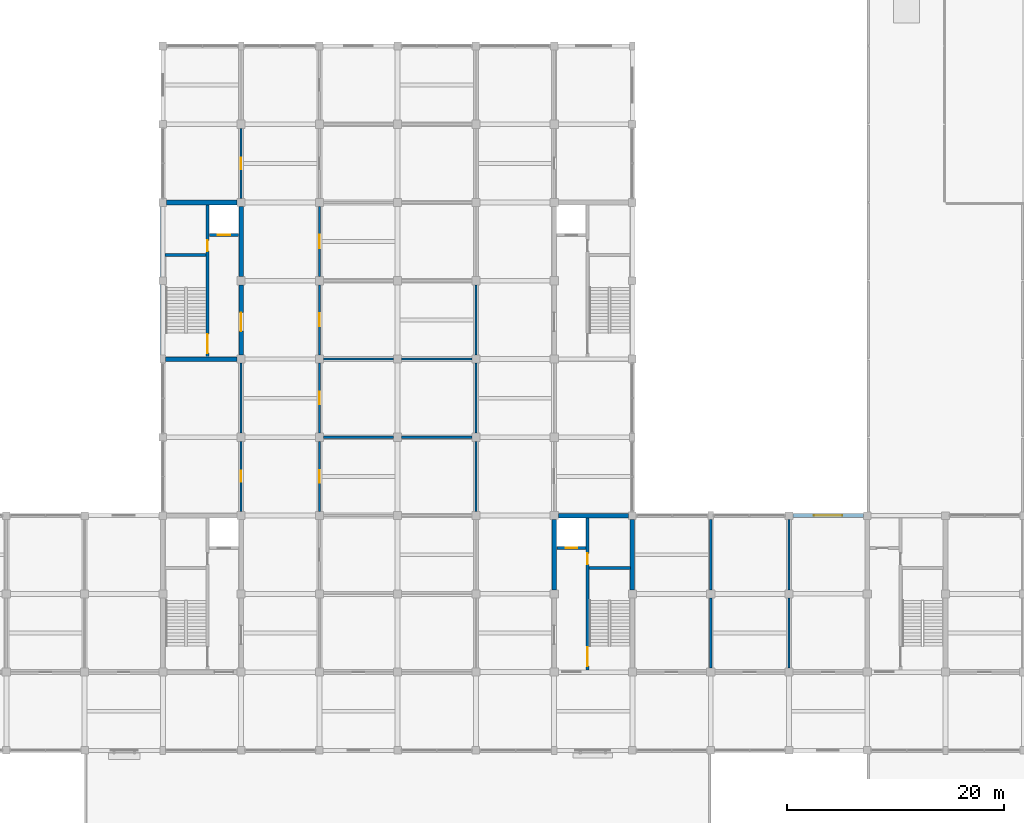
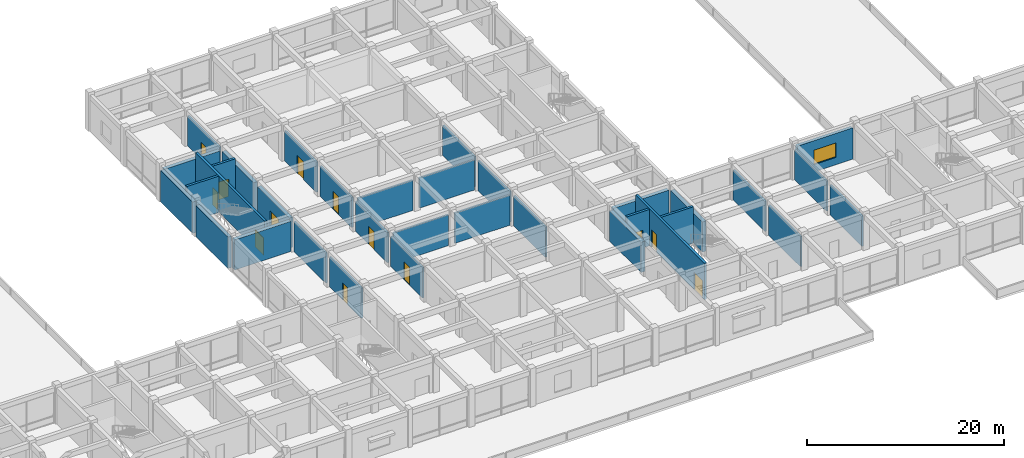
# One storey, part 21 of 30: 34 walls, 13 doors, 1 window, 14 openings.
"""IFC4 building model written with IfcOpenShell, lengths in metres."""

from ifc_helpers import new_model, si_unit, direction, frame, frame_2d, origin, place, context, subcontext, project, spatial, rectangle, extrude, material, layer, layer_set, type_object, element, fill, save


model = new_model("IFC4")

# Units and contexts
model_context = context("Model", 3, precision=1e-05, world=origin(), true_north=direction((0.0, 1.0)))
body_context = subcontext(model_context, "Body", "Model", "MODEL_VIEW")
ifc_project = project(units=[si_unit("LENGTHUNIT", "METRE"), si_unit("AREAUNIT", "SQUARE_METRE"), si_unit("VOLUMEUNIT", "CUBIC_METRE"), si_unit("PLANEANGLEUNIT", "RADIAN"), si_unit("MASSUNIT", "GRAM", prefix="KILO")], contexts=[model_context])

# Site, building, storey
site_placement = place(None, origin())
site = spatial("IfcSite", under=ifc_project, at=site_placement, CompositionType="ELEMENT")
building_placement = place(site_placement, origin())
building = spatial("IfcBuilding", under=site, at=building_placement, Name="Cendaluz Park School", CompositionType="ELEMENT")
storey_placement = place(building_placement, frame((0.0, 0.0, 9.60009765625)))
storey = spatial("IfcBuildingStorey", under=building, at=storey_placement, Name="L02", CompositionType="ELEMENT", Elevation=9.60009765625)

# Walls
ifc_material_1 = material(Name="Gypsum Plasterboard on Cold-Formed Stud", Category="gypsum")
ifc_layer_1 = layer(ifc_material_1, 0.199951171875)
ifc_layer_set_1 = layer_set([ifc_layer_1], Name="Gypsum Plasterboard on Cold-Formed Stud")
wall_type_1 = type_object("IfcWallType", Name="W-AC20", PredefinedType="PARTITIONING", material=ifc_layer_set_1)
wall_1_placement = place(storey_placement, frame((115.199951171875, 14.77490234375, 0.0), z_axis=(0.0, 0.0, 1.0), x_axis=(0.0, 1.0, 0.0)))
element("IfcWall", 1, at=wall_1_placement, inside=storey, type_object=wall_type_1, Name="WL-FC-CA4", PredefinedType="PARTITIONING", context=body_context, shape_type="SweptSolid", body=[
    extrude(rectangle(XDim=6.4501953125, YDim=0.199951171875, at=frame_2d((3.22509765625, 0.0))), origin(), (0.0, 0.0, 1.0), 3.739990234375),
])
wall_2_placement = place(storey_placement, frame((115.199951171875, 21.97509765625, 0.0), z_axis=(0.0, 0.0, 1.0), x_axis=(0.0, 1.0, 0.0)))
element("IfcWall", 2, at=wall_2_placement, inside=storey, type_object=wall_type_1, Name="WL-FC-CA5", PredefinedType="PARTITIONING", context=body_context, shape_type="SweptSolid", body=[
    extrude(rectangle(XDim=6.449951171875, YDim=0.199951171875, at=frame_2d((3.22509765625, 0.0))), origin(), (0.0, 0.0, 1.0), 3.739990234375),
])
wall_3_placement = place(storey_placement, frame((122.39990234375, 14.77490234375, 0.0), z_axis=(0.0, 0.0, 1.0), x_axis=(0.0, 1.0, 0.0)))
element("IfcWall", 3, at=wall_3_placement, inside=storey, type_object=wall_type_1, Name="WL-FC-CA7", PredefinedType="PARTITIONING", context=body_context, shape_type="SweptSolid", body=[
    extrude(rectangle(XDim=6.4501953125, YDim=0.199951171875, at=frame_2d((3.22509765625, 0.0))), origin(), (0.0, 0.0, 1.0), 3.739990234375),
])
wall_4_placement = place(storey_placement, frame((122.39990234375, 21.97509765625, 0.0), z_axis=(0.0, 0.0, 1.0), x_axis=(0.0, 1.0, 0.0)))
element("IfcWall", 4, at=wall_4_placement, inside=storey, type_object=wall_type_1, Name="WL-FC-CA8", PredefinedType="PARTITIONING", context=body_context, shape_type="SweptSolid", body=[
    extrude(rectangle(XDim=6.474853515625, YDim=0.199951171875, at=frame_2d((3.2373046875, 0.0))), origin(), (0.0, 0.0, 1.0), 3.739990234375),
])

# Wall, opening, door
wall_5_placement = place(storey_placement, frame((72.0, 29.175048828125, 0.0), z_axis=(0.0, 0.0, 1.0), x_axis=(0.0, 1.0, 0.0)))
wall_5 = element("IfcWall", 5, at=wall_5_placement, inside=storey, type_object=wall_type_1, Name="WL-FC-CC3", PredefinedType="PARTITIONING", context=body_context, shape_type="SweptSolid", body=[
    extrude(rectangle(XDim=6.449951171875, YDim=0.199951171875, at=frame_2d((3.22509765625, 0.0))), origin(), (0.0, 0.0, 1.0), 3.739990234375),
])
opening_1_placement = place(wall_5_placement, frame((2.715087890625, 0.0, 0.0)))
opening_1 = element("IfcOpeningElement", 6, at=opening_1_placement, cuts=wall_5, Name="Opening DCL-02", PredefinedType="OPENING", context=body_context, shape_type="SweptSolid", body=[
    extrude(rectangle(XDim=1.02001953125, YDim=2.1201171875, at=frame_2d((0.510009765625, 1.06005859375))), frame((0.0, 0.112060546875, 0.0), z_axis=(0.0, -1.0, 0.0), x_axis=(1.0, 0.0, 0.0)), (0.0, 0.0, 1.0), 0.223876953125),
])
ifc_material_2 = material(Name="Solid Core Hardwood", Category="wood")
door_type_1 = type_object("IfcDoorType", Name="DCL-02", OperationType="NOTDEFINED", PredefinedType="DOOR", material=ifc_material_2)
door_1_placement = place(opening_1_placement, origin())
door_1 = element("IfcDoor", 7, at=door_1_placement, inside=storey, type_object=door_type_1, Name="D-L02-045", OperationType="SINGLE_SWING_LEFT", OverallHeight=2.1201171875, OverallWidth=1.02001953125, PredefinedType="DOOR", context=body_context, shape_type="SweptSolid", body=[
    extrude(rectangle(XDim=1.02001953125, YDim=2.1201171875, at=frame_2d((0.510009765625, 1.06005859375))), frame((0.0, 0.02490234375, 0.0), z_axis=(0.0, -1.0, 0.0), x_axis=(1.0, 0.0, 0.0)), (0.0, 0.0, 1.0), 0.050048828125),
])
fill(opening_1, door_1)

# Wall
wall_6_placement = place(storey_placement, frame((72.0, 36.375, 0.0), z_axis=(0.0, 0.0, 1.0), x_axis=(0.0, 1.0, 0.0)))
element("IfcWall", 8, at=wall_6_placement, inside=storey, type_object=wall_type_1, Name="WL-FC-CC4", PredefinedType="PARTITIONING", context=body_context, shape_type="SweptSolid", body=[
    extrude(rectangle(XDim=6.449951171875, YDim=0.199951171875, at=frame_2d((3.22509765625, 0.0))), origin(), (0.0, 0.0, 1.0), 3.739990234375),
])

# Wall, opening, door
wall_7_placement = place(storey_placement, frame((72.0, 57.97509765625, 0.0), z_axis=(0.0, 0.0, 1.0), x_axis=(0.0, 1.0, 0.0)))
wall_7 = element("IfcWall", 9, at=wall_7_placement, inside=storey, type_object=wall_type_1, Name="WL-FC-CC5", PredefinedType="PARTITIONING", context=body_context, shape_type="SweptSolid", body=[
    extrude(rectangle(XDim=6.449951171875, YDim=0.199951171875, at=frame_2d((3.22509765625, 0.0))), origin(), (0.0, 0.0, 1.0), 3.739990234375),
])
opening_2_placement = place(wall_7_placement, frame((2.705078125, 0.0, 0.0)))
opening_2 = element("IfcOpeningElement", 10, at=opening_2_placement, cuts=wall_7, Name="Opening DCL-03", PredefinedType="OPENING", context=body_context, shape_type="SweptSolid", body=[
    extrude(rectangle(XDim=1.0400390625, YDim=2.139892578125, at=frame_2d((0.52001953125, 1.06982421875))), frame((0.0, 0.112060546875, 0.0), z_axis=(0.0, -1.0, 0.0), x_axis=(1.0, 0.0, 0.0)), (0.0, 0.0, 1.0), 0.223876953125),
])
door_type_2 = type_object("IfcDoorType", Name="DCL-03", OperationType="NOTDEFINED", PredefinedType="DOOR", material=ifc_material_2)
door_2_placement = place(opening_2_placement, origin())
door_2 = element("IfcDoor", 11, at=door_2_placement, inside=storey, type_object=door_type_2, Name="D-L02-046", OperationType="SINGLE_SWING_RIGHT", OverallHeight=2.139892578125, OverallWidth=1.0400390625, PredefinedType="DOOR", context=body_context, shape_type="SweptSolid", body=[
    extrude(rectangle(XDim=1.0400390625, YDim=2.139892578125, at=frame_2d((0.52001953125, 1.06982421875))), frame((0.0, 0.02490234375, 0.0), z_axis=(0.0, -1.0, 0.0), x_axis=(1.0, 0.0, 0.0)), (0.0, 0.0, 1.0), 0.050048828125),
])
fill(opening_2, door_2)

# Wall
wall_8_placement = place(storey_placement, frame((79.574951171875, 36.0, 0.0), z_axis=(0.0, 0.0, 1.0), x_axis=(1.0, 0.0, 0.0)))
element("IfcWall", 12, at=wall_8_placement, inside=storey, type_object=wall_type_1, Name="WL-FC-CD7", PredefinedType="PARTITIONING", context=body_context, shape_type="SweptSolid", body=[
    extrude(rectangle(XDim=6.449951171875, YDim=0.199951171875, at=frame_2d((3.22509765625, 0.0))), origin(), (0.0, 0.0, 1.0), 3.809814453125),
])

# Wall, opening, door
wall_9_placement = place(storey_placement, frame((79.199951171875, 29.175048828125, 0.0), z_axis=(0.0, 0.0, 1.0), x_axis=(0.0, 1.0, 0.0)))
wall_9 = element("IfcWall", 13, at=wall_9_placement, inside=storey, type_object=wall_type_1, Name="WL-FC-CD8", PredefinedType="PARTITIONING", context=body_context, shape_type="SweptSolid", body=[
    extrude(rectangle(XDim=6.449951171875, YDim=0.199951171875, at=frame_2d((3.22509765625, 0.0))), origin(), (0.0, 0.0, 1.0), 3.739990234375),
])
opening_3_placement = place(wall_9_placement, frame((2.6650390625, 0.0, 0.0)))
opening_3 = element("IfcOpeningElement", 14, at=opening_3_placement, cuts=wall_9, Name="Opening DCL-06", PredefinedType="OPENING", context=body_context, shape_type="SweptSolid", body=[
    extrude(rectangle(XDim=1.1201171875, YDim=2.199951171875, at=frame_2d((0.56005859375, 1.10009765625))), frame((0.0, 0.112060546875, 0.0), z_axis=(0.0, -1.0, 0.0), x_axis=(1.0, 0.0, 0.0)), (0.0, 0.0, 1.0), 0.223876953125),
])
door_type_3 = type_object("IfcDoorType", Name="DCL-06", OperationType="NOTDEFINED", PredefinedType="DOOR", material=ifc_material_2)
door_3_placement = place(opening_3_placement, frame((1.1201171875, 0.0, 0.0), z_axis=(0.0, 0.0, 1.0), x_axis=(-1.0, 0.0, 0.0)))
door_3 = element("IfcDoor", 15, at=door_3_placement, inside=storey, type_object=door_type_3, Name="D-L02-049", OperationType="SINGLE_SWING_LEFT", OverallHeight=2.199951171875, OverallWidth=1.1201171875, PredefinedType="DOOR", context=body_context, shape_type="SweptSolid", body=[
    extrude(rectangle(XDim=1.1201171875, YDim=2.199951171875, at=frame_2d((0.56005859375, 1.10009765625))), frame((0.0, 0.02490234375, 0.0), z_axis=(0.0, -1.0, 0.0), x_axis=(1.0, 0.0, 0.0)), (0.0, 0.0, 1.0), 0.050048828125),
])
fill(opening_3, door_3)

# Walls
wall_10_placement = place(storey_placement, frame((86.77490234375, 36.0, 0.0), z_axis=(0.0, 0.0, 1.0), x_axis=(1.0, 0.0, 0.0)))
element("IfcWall", 16, at=wall_10_placement, inside=storey, type_object=wall_type_1, Name="WL-FC-CD9", PredefinedType="PARTITIONING", context=body_context, shape_type="SweptSolid", body=[
    extrude(rectangle(XDim=6.4501953125, YDim=0.199951171875, at=frame_2d((3.22509765625, 0.0))), origin(), (0.0, 0.0, 1.0), 3.739990234375),
])
for number, where, z_axis, x_axis, name in (
    (17, (93.60009765625, 29.175048828125, 0.0), (0.0, 0.0, 1.0), (0.0, 1.0, 0.0), "WL-FC-CE0"),
    (18, (79.574951171875, 43.199951171875, 0.0), (0.0, 0.0, 1.0), (1.0, 0.0, 0.0), "WL-FC-CE1"),
):
    element("IfcWall", number, at=place(storey_placement, frame(where, z_axis=z_axis, x_axis=x_axis)), inside=storey, type_object=wall_type_1, Name=name, PredefinedType="PARTITIONING", context=body_context, shape_type="SweptSolid", body=[
        extrude(rectangle(XDim=6.449951171875, YDim=0.199951171875, at=frame_2d((3.22509765625, 0.0))), origin(), (0.0, 0.0, 1.0), 3.739990234375),
    ])

# Wall, opening, door
wall_11_placement = place(storey_placement, frame((79.199951171875, 36.375, 0.0), z_axis=(0.0, 0.0, 1.0), x_axis=(0.0, 1.0, 0.0)))
wall_11 = element("IfcWall", 19, at=wall_11_placement, inside=storey, type_object=wall_type_1, Name="WL-FC-CE2", PredefinedType="PARTITIONING", context=body_context, shape_type="SweptSolid", body=[
    extrude(rectangle(XDim=6.449951171875, YDim=0.199951171875, at=frame_2d((3.22509765625, 0.0))), origin(), (0.0, 0.0, 1.0), 3.739990234375),
])
opening_4_placement = place(wall_11_placement, frame((2.64501953125, 0.0, 0.0)))
opening_4 = element("IfcOpeningElement", 20, at=opening_4_placement, cuts=wall_11, Name="Opening DCL-07", PredefinedType="OPENING", context=body_context, shape_type="SweptSolid", body=[
    extrude(rectangle(XDim=1.159912109375, YDim=2.219970703125, at=frame_2d((0.580078125, 1.10986328125))), frame((0.0, 0.112060546875, 0.0), z_axis=(0.0, -1.0, 0.0), x_axis=(1.0, 0.0, 0.0)), (0.0, 0.0, 1.0), 0.223876953125),
])
door_type_4 = type_object("IfcDoorType", Name="DCL-07", OperationType="NOTDEFINED", PredefinedType="DOOR", material=ifc_material_2)
door_4_placement = place(opening_4_placement, frame((1.159912109375, 0.0, 0.0), z_axis=(0.0, 0.0, 1.0), x_axis=(-1.0, 0.0, 0.0)))
door_4 = element("IfcDoor", 21, at=door_4_placement, inside=storey, type_object=door_type_4, Name="D-L02-050", OperationType="SINGLE_SWING_RIGHT", OverallHeight=2.219970703125, OverallWidth=1.159912109375, PredefinedType="DOOR", context=body_context, shape_type="SweptSolid", body=[
    extrude(rectangle(XDim=1.159912109375, YDim=2.219970703125, at=frame_2d((0.580078125, 1.10986328125))), frame((0.0, 0.02490234375, 0.0), z_axis=(0.0, -1.0, 0.0), x_axis=(1.0, 0.0, 0.0)), (0.0, 0.0, 1.0), 0.050048828125),
])
fill(opening_4, door_4)

# Walls
wall_12_placement = place(storey_placement, frame((86.77490234375, 43.199951171875, 0.0), z_axis=(0.0, 0.0, 1.0), x_axis=(1.0, 0.0, 0.0)))
element("IfcWall", 22, at=wall_12_placement, inside=storey, type_object=wall_type_1, Name="WL-FC-CE3", PredefinedType="PARTITIONING", context=body_context, shape_type="SweptSolid", body=[
    extrude(rectangle(XDim=6.4501953125, YDim=0.199951171875, at=frame_2d((3.22509765625, 0.0))), origin(), (0.0, 0.0, 1.0), 3.739990234375),
])
wall_13_placement = place(storey_placement, frame((93.60009765625, 36.375, 0.0), z_axis=(0.0, 0.0, 1.0), x_axis=(0.0, 1.0, 0.0)))
element("IfcWall", 23, at=wall_13_placement, inside=storey, type_object=wall_type_1, Name="WL-FC-CE4", PredefinedType="PARTITIONING", context=body_context, shape_type="SweptSolid", body=[
    extrude(rectangle(XDim=6.449951171875, YDim=0.199951171875, at=frame_2d((3.22509765625, 0.0))), origin(), (0.0, 0.0, 1.0), 3.739990234375),
])

# Wall, opening, door
wall_14_placement = place(storey_placement, frame((79.199951171875, 43.574951171875, 0.0), z_axis=(0.0, 0.0, 1.0), x_axis=(0.0, 1.0, 0.0)))
wall_14 = element("IfcWall", 24, at=wall_14_placement, inside=storey, type_object=wall_type_1, Name="WL-FC-CE6", PredefinedType="PARTITIONING", context=body_context, shape_type="SweptSolid", body=[
    extrude(rectangle(XDim=6.449951171875, YDim=0.199951171875, at=frame_2d((3.22509765625, 0.0))), origin(), (0.0, 0.0, 1.0), 3.739990234375),
])
opening_5_placement = place(wall_14_placement, frame((2.625, 0.0, 0.0)))
opening_5 = element("IfcOpeningElement", 25, at=opening_5_placement, cuts=wall_14, Name="Opening DCL-08", PredefinedType="OPENING", context=body_context, shape_type="SweptSolid", body=[
    extrude(rectangle(XDim=1.199951171875, YDim=2.239990234375, at=frame_2d((0.60009765625, 1.1201171875))), frame((0.0, 0.112060546875, 0.0), z_axis=(0.0, -1.0, 0.0), x_axis=(1.0, 0.0, 0.0)), (0.0, 0.0, 1.0), 0.223876953125),
])
door_type_5 = type_object("IfcDoorType", Name="DCL-08", OperationType="NOTDEFINED", PredefinedType="DOOR", material=ifc_material_2)
door_5_placement = place(opening_5_placement, frame((1.199951171875, 0.0, 0.0), z_axis=(0.0, 0.0, 1.0), x_axis=(-1.0, 0.0, 0.0)))
door_5 = element("IfcDoor", 26, at=door_5_placement, inside=storey, type_object=door_type_5, Name="D-L02-051", OperationType="SINGLE_SWING_LEFT", OverallHeight=2.239990234375, OverallWidth=1.199951171875, PredefinedType="DOOR", context=body_context, shape_type="SweptSolid", body=[
    extrude(rectangle(XDim=1.199951171875, YDim=2.239990234375, at=frame_2d((0.60009765625, 1.1201171875))), frame((0.0, 0.02490234375, 0.0), z_axis=(0.0, -1.0, 0.0), x_axis=(1.0, 0.0, 0.0)), (0.0, 0.0, 1.0), 0.050048828125),
])
fill(opening_5, door_5)

# Wall
wall_15_placement = place(storey_placement, frame((93.60009765625, 43.574951171875, 0.0), z_axis=(0.0, 0.0, 1.0), x_axis=(0.0, 1.0, 0.0)))
element("IfcWall", 27, at=wall_15_placement, inside=storey, type_object=wall_type_1, Name="WL-FC-CE8", PredefinedType="PARTITIONING", context=body_context, shape_type="SweptSolid", body=[
    extrude(rectangle(XDim=6.449951171875, YDim=0.199951171875, at=frame_2d((3.22509765625, 0.0))), origin(), (0.0, 0.0, 1.0), 3.739990234375),
])

# Wall, opening, door
wall_16_placement = place(storey_placement, frame((79.199951171875, 50.77490234375, 0.0), z_axis=(0.0, 0.0, 1.0), x_axis=(0.0, 1.0, 0.0)))
wall_16 = element("IfcWall", 28, at=wall_16_placement, inside=storey, type_object=wall_type_1, Name="WL-FC-CE9", PredefinedType="PARTITIONING", context=body_context, shape_type="SweptSolid", body=[
    extrude(rectangle(XDim=6.4501953125, YDim=0.199951171875, at=frame_2d((3.22509765625, 0.0))), origin(), (0.0, 0.0, 1.0), 3.739990234375),
])
opening_6_placement = place(wall_16_placement, frame((2.60498046875, 0.0, 0.0)))
opening_6 = element("IfcOpeningElement", 29, at=opening_6_placement, cuts=wall_16, Name="Opening DCL-09", PredefinedType="OPENING", context=body_context, shape_type="SweptSolid", body=[
    extrude(rectangle(XDim=1.239990234375, YDim=2.260009765625, at=frame_2d((0.6201171875, 1.1298828125))), frame((0.0, 0.112060546875, 0.0), z_axis=(0.0, -1.0, 0.0), x_axis=(1.0, 0.0, 0.0)), (0.0, 0.0, 1.0), 0.223876953125),
])
door_type_6 = type_object("IfcDoorType", Name="DCL-09", OperationType="NOTDEFINED", PredefinedType="DOOR", material=ifc_material_2)
door_6_placement = place(opening_6_placement, frame((1.239990234375, 0.0, 0.0), z_axis=(0.0, 0.0, 1.0), x_axis=(-1.0, 0.0, 0.0)))
door_6 = element("IfcDoor", 30, at=door_6_placement, inside=storey, type_object=door_type_6, Name="D-L02-052", OperationType="SINGLE_SWING_RIGHT", OverallHeight=2.260009765625, OverallWidth=1.239990234375, PredefinedType="DOOR", context=body_context, shape_type="SweptSolid", body=[
    extrude(rectangle(XDim=1.239990234375, YDim=2.260009765625, at=frame_2d((0.6201171875, 1.1298828125))), frame((0.0, 0.02490234375, 0.0), z_axis=(0.0, -1.0, 0.0), x_axis=(1.0, 0.0, 0.0)), (0.0, 0.0, 1.0), 0.050048828125),
])
fill(opening_6, door_6)

# Wall, opening, window
ifc_material_3 = material(Name="Concrete C40/50 precast", Category="concrete")
ifc_layer_2 = layer(ifc_material_3, 0.360107421875)
ifc_layer_set_2 = layer_set([ifc_layer_2], Name="Concrete C40/50 precast")
wall_type_2 = type_object("IfcWallType", Name="W-EX36", PredefinedType="SOLIDWALL", material=ifc_layer_set_2)
wall_17_placement = place(storey_placement, frame((122.75, 28.800048828125, 0.0), z_axis=(0.0, 0.0, 1.0), x_axis=(1.0, 0.0, 0.0)))
wall_17 = element("IfcWall", 31, at=wall_17_placement, inside=storey, type_object=wall_type_2, Name="WL-FC-AB3", PredefinedType="SOLIDWALL", context=body_context, shape_type="SweptSolid", body=[
    extrude(rectangle(XDim=6.5, YDim=0.360107421875, at=frame_2d((3.25, 0.0))), origin(), (0.0, 0.0, 1.0), 3.8798828125),
])
opening_7_placement = place(wall_17_placement, frame((1.949951171875, 0.0, 0.89990234375)))
opening_7 = element("IfcOpeningElement", 32, at=opening_7_placement, cuts=wall_17, Name="Opening WN-05", PredefinedType="OPENING", context=body_context, shape_type="SweptSolid", body=[
    extrude(rectangle(XDim=2.60009765625, YDim=1.800048828125, at=frame_2d((1.300048828125, 0.89990234375))), frame((0.0, 0.192138671875, 0.0), z_axis=(0.0, -1.0, 0.0), x_axis=(1.0, 0.0, 0.0)), (0.0, 0.0, 1.0), 0.384033203125),
])
ifc_material_4 = material(Name="Tempered Low-E Double Glazing", Category="glass")
window_type = type_object("IfcWindowType", Name="WN-05", PartitioningType="SINGLE_PANEL", PredefinedType="WINDOW", material=ifc_material_4)
window_placement = place(opening_7_placement, origin())
window = element("IfcWindow", 33, at=window_placement, inside=storey, type_object=window_type, Name="WN-L02-014", OverallHeight=1.800048828125, OverallWidth=2.60009765625, PartitioningType="SINGLE_PANEL", PredefinedType="WINDOW", context=body_context, shape_type="SweptSolid", body=[
    extrude(rectangle(XDim=2.60009765625, YDim=1.800048828125, at=frame_2d((1.300048828125, 0.89990234375))), frame((0.0, 0.030029296875, 0.0), z_axis=(0.0, -1.0, 0.0), x_axis=(1.0, 0.0, 0.0)), (0.0, 0.0, 1.0), 0.06005859375),
])
fill(opening_7, window)

# Wall, openings, doors
ifc_material_5 = material(Name="Concrete C40/50", Category="concrete")
ifc_layer_3 = layer(ifc_material_5, 0.280029296875)
ifc_layer_set_3 = layer_set([ifc_layer_3], Name="Concrete C40/50")
wall_type_3 = type_object("IfcWallType", Name="W-FW28", PredefinedType="SHEAR", material=ifc_layer_set_3)
wall_18_placement = place(storey_placement, frame((103.8798828125, 14.60009765625, 0.0), z_axis=(0.0, 0.0, 1.0), x_axis=(0.0, 1.0, 0.0)))
wall_18 = element("IfcWall", 34, at=wall_18_placement, inside=storey, type_object=wall_type_3, Name="WL-FC-BT6", PredefinedType="SHEAR", context=body_context, shape_type="SweptSolid", body=[
    extrude(rectangle(XDim=14.0, YDim=0.280029296875, at=frame_2d((7.0, 0.0))), origin(), (0.0, 0.0, 1.0), 4.510009765625),
])
opening_8_placement = place(wall_18_placement, frame((0.35009765625, 0.0, 0.0)))
opening_8 = element("IfcOpeningElement", 35, at=opening_8_placement, cuts=wall_18, Name="Opening DST-03", PredefinedType="OPENING", context=body_context, shape_type="SweptSolid", body=[
    extrude(rectangle(XDim=1.75, YDim=2.14990234375, at=frame_2d((0.875, 1.074951171875))), frame((0.0, 0.152099609375, 0.0), z_axis=(0.0, -1.0, 0.0), x_axis=(1.0, 0.0, 0.0)), (0.0, 0.0, 1.0), 0.303955078125),
])
opening_9_placement = place(wall_18_placement, frame((9.719970703125, 0.0, 0.0)))
opening_9 = element("IfcOpeningElement", 36, at=opening_9_placement, cuts=wall_18, Name="Opening DFC-01", PredefinedType="OPENING", context=body_context, shape_type="SweptSolid", body=[
    extrude(rectangle(XDim=1.0, YDim=2.14990234375, at=frame_2d((0.5, 1.074951171875))), frame((0.0, 0.152099609375, 0.0), z_axis=(0.0, -1.0, 0.0), x_axis=(1.0, 0.0, 0.0)), (0.0, 0.0, 1.0), 0.303955078125),
])
door_type_7 = type_object("IfcDoorType", Name="DFC-01", OperationType="NOTDEFINED", PredefinedType="DOOR", material=ifc_material_2)
door_7_placement = place(opening_9_placement, frame((1.0, 0.0, 0.0), z_axis=(0.0, 0.0, 1.0), x_axis=(-1.0, 0.0, 0.0)))
door_7 = element("IfcDoor", 37, at=door_7_placement, inside=storey, type_object=door_type_7, Name="D-L02-009", OperationType="SINGLE_SWING_RIGHT", OverallHeight=2.14990234375, OverallWidth=1.0, PredefinedType="DOOR", context=body_context, shape_type="SweptSolid", body=[
    extrude(rectangle(XDim=1.0, YDim=2.14990234375, at=frame_2d((0.5, 1.074951171875))), frame((0.0, 0.02490234375, 0.0), z_axis=(0.0, -1.0, 0.0), x_axis=(1.0, 0.0, 0.0)), (0.0, 0.0, 1.0), 0.050048828125),
])
fill(opening_9, door_7)
door_type_8 = type_object("IfcDoorType", Name="DST-03", OperationType="DOUBLE_DOOR_SINGLE_SWING", PredefinedType="DOOR", material=ifc_material_2)
door_8_placement = place(opening_8_placement, frame((1.75, 0.0, 0.0), z_axis=(0.0, 0.0, 1.0), x_axis=(-1.0, 0.0, 0.0)))
door_8 = element("IfcDoor", 38, at=door_8_placement, inside=storey, type_object=door_type_8, Name="D-L02-008", OperationType="DOUBLE_DOOR_SINGLE_SWING", OverallHeight=2.14990234375, OverallWidth=1.75, PredefinedType="DOOR", context=body_context, shape_type="SweptSolid", body=[
    extrude(rectangle(XDim=1.75, YDim=2.14990234375, at=frame_2d((0.875, 1.074951171875))), frame((0.0, 0.02490234375, 0.0), z_axis=(0.0, -1.0, 0.0), x_axis=(1.0, 0.0, 0.0)), (0.0, 0.0, 1.0), 0.050048828125),
])
fill(opening_8, door_8)

# Wall
wall_19_placement = place(storey_placement, frame((104.02001953125, 23.97998046875, 0.0), z_axis=(0.0, 0.0, 1.0), x_axis=(1.0, 0.0, 0.0)))
element("IfcWall", 39, at=wall_19_placement, inside=storey, type_object=wall_type_3, Name="WL-FC-BT7", PredefinedType="SHEAR", context=body_context, shape_type="SweptSolid", body=[
    extrude(rectangle(XDim=3.780029296875, YDim=0.280029296875, at=frame_2d((1.89013671875, 0.0))), origin(), (0.0, 0.0, 1.0), 4.510009765625),
])

# Wall, opening, door
wall_20_placement = place(storey_placement, frame((101.0400390625, 25.800048828125, 0.0), z_axis=(0.0, 0.0, 1.0), x_axis=(1.0, 0.0, 0.0)))
wall_20 = element("IfcWall", 40, at=wall_20_placement, inside=storey, type_object=wall_type_3, Name="WL-FC-BT8", PredefinedType="SHEAR", context=body_context, shape_type="SweptSolid", body=[
    extrude(rectangle(XDim=2.679931640625, YDim=0.280029296875, at=frame_2d((1.33984375, 0.0))), origin(), (0.0, 0.0, 1.0), 4.510009765625),
])
opening_10_placement = place(wall_20_placement, frame((0.81494140625, 0.0, 0.0)))
opening_10 = element("IfcOpeningElement", 41, at=opening_10_placement, cuts=wall_20, Name="Opening LD-02", PredefinedType="OPENING", context=body_context, shape_type="SweptSolid", body=[
    extrude(rectangle(XDim=1.050048828125, YDim=2.199951171875, at=frame_2d((0.52490234375, 1.10009765625))), frame((0.0, 0.152099609375, 0.0), z_axis=(0.0, -1.0, 0.0), x_axis=(1.0, 0.0, 0.0)), (0.0, 0.0, 1.0), 0.303955078125),
])
ifc_material_6 = material(Name="Stainless Steel 316L", Category="steel")
door_type_9 = type_object("IfcDoorType", Name="LD-02", OperationType="DOUBLE_DOOR_SLIDING", PredefinedType="DOOR", material=ifc_material_6)
door_9_placement = place(opening_10_placement, frame((1.050048828125, 0.0, 0.0), z_axis=(0.0, 0.0, 1.0), x_axis=(-1.0, 0.0, 0.0)))
door_9 = element("IfcDoor", 42, at=door_9_placement, inside=storey, type_object=door_type_9, Name="D-L02-010", OperationType="DOUBLE_DOOR_SLIDING", OverallHeight=2.199951171875, OverallWidth=1.050048828125, PredefinedType="DOOR", context=body_context, shape_type="SweptSolid", body=[
    extrude(rectangle(XDim=1.050048828125, YDim=2.199951171875, at=frame_2d((0.52490234375, 1.10009765625))), frame((0.0, 0.02490234375, 0.0), z_axis=(0.0, -1.0, 0.0), x_axis=(1.0, 0.0, 0.0)), (0.0, 0.0, 1.0), 0.050048828125),
])
fill(opening_10, door_9)

# Wall, openings, doors
wall_21_placement = place(storey_placement, frame((68.919921875, 43.39990234375, 0.0), z_axis=(0.0, 0.0, 1.0), x_axis=(0.0, 1.0, 0.0)))
wall_21 = element("IfcWall", 43, at=wall_21_placement, inside=storey, type_object=wall_type_3, Name="WL-FC-BU5", PredefinedType="SHEAR", context=body_context, shape_type="SweptSolid", body=[
    extrude(rectangle(XDim=14.0, YDim=0.280029296875, at=frame_2d((7.0, 0.0))), origin(), (0.0, 0.0, 1.0), 4.510009765625),
])
opening_11_placement = place(wall_21_placement, frame((0.35009765625, 0.0, 0.0)))
opening_11 = element("IfcOpeningElement", 44, at=opening_11_placement, cuts=wall_21, Name="Opening DST-03", PredefinedType="OPENING", context=body_context, shape_type="SweptSolid", body=[
    extrude(rectangle(XDim=1.75, YDim=2.14990234375, at=frame_2d((0.875, 1.074951171875))), frame((0.0, 0.152099609375, 0.0), z_axis=(0.0, -1.0, 0.0), x_axis=(1.0, 0.0, 0.0)), (0.0, 0.0, 1.0), 0.303955078125),
])
opening_12_placement = place(wall_21_placement, frame((9.719970703125, 0.0, 0.0)))
opening_12 = element("IfcOpeningElement", 45, at=opening_12_placement, cuts=wall_21, Name="Opening DFC-01", PredefinedType="OPENING", context=body_context, shape_type="SweptSolid", body=[
    extrude(rectangle(XDim=1.0, YDim=2.14990234375, at=frame_2d((0.5, 1.074951171875))), frame((0.0, 0.152099609375, 0.0), z_axis=(0.0, -1.0, 0.0), x_axis=(1.0, 0.0, 0.0)), (0.0, 0.0, 1.0), 0.303955078125),
])
door_10_placement = place(opening_12_placement, origin())
door_10 = element("IfcDoor", 46, at=door_10_placement, inside=storey, type_object=door_type_7, Name="D-L02-013", OperationType="SINGLE_SWING_RIGHT", OverallHeight=2.14990234375, OverallWidth=1.0, PredefinedType="DOOR", context=body_context, shape_type="SweptSolid", body=[
    extrude(rectangle(XDim=1.0, YDim=2.14990234375, at=frame_2d((0.5, 1.074951171875))), frame((0.0, 0.02490234375, 0.0), z_axis=(0.0, -1.0, 0.0), x_axis=(1.0, 0.0, 0.0)), (0.0, 0.0, 1.0), 0.050048828125),
])
fill(opening_12, door_10)
door_11_placement = place(opening_11_placement, origin())
door_11 = element("IfcDoor", 47, at=door_11_placement, inside=storey, type_object=door_type_8, Name="D-L02-012", OperationType="DOUBLE_DOOR_SINGLE_SWING", OverallHeight=2.14990234375, OverallWidth=1.75, PredefinedType="DOOR", context=body_context, shape_type="SweptSolid", body=[
    extrude(rectangle(XDim=1.75, YDim=2.14990234375, at=frame_2d((0.875, 1.074951171875))), frame((0.0, 0.02490234375, 0.0), z_axis=(0.0, -1.0, 0.0), x_axis=(1.0, 0.0, 0.0)), (0.0, 0.0, 1.0), 0.050048828125),
])
fill(opening_11, door_11)

# Wall
wall_22_placement = place(storey_placement, frame((65.0, 52.780029296875, 0.0), z_axis=(0.0, 0.0, 1.0), x_axis=(1.0, 0.0, 0.0)))
element("IfcWall", 48, at=wall_22_placement, inside=storey, type_object=wall_type_3, Name="WL-FC-BU6", PredefinedType="SHEAR", context=body_context, shape_type="SweptSolid", body=[
    extrude(rectangle(XDim=3.780029296875, YDim=0.280029296875, at=frame_2d((1.89013671875, 0.0))), origin(), (0.0, 0.0, 1.0), 4.510009765625),
])

# Wall, opening, door
wall_23_placement = place(storey_placement, frame((69.080078125, 54.60009765625, 0.0), z_axis=(0.0, 0.0, 1.0), x_axis=(1.0, 0.0, 0.0)))
wall_23 = element("IfcWall", 49, at=wall_23_placement, inside=storey, type_object=wall_type_3, Name="WL-FC-BU7", PredefinedType="SHEAR", context=body_context, shape_type="SweptSolid", body=[
    extrude(rectangle(XDim=2.679931640625, YDim=0.280029296875, at=frame_2d((1.33984375, 0.0))), origin(), (0.0, 0.0, 1.0), 4.510009765625),
])
opening_13_placement = place(wall_23_placement, frame((0.764892578125, 0.0, 0.0)))
opening_13 = element("IfcOpeningElement", 50, at=opening_13_placement, cuts=wall_23, Name="Opening LD-01", PredefinedType="OPENING", context=body_context, shape_type="SweptSolid", body=[
    extrude(rectangle(XDim=1.14990234375, YDim=2.199951171875, at=frame_2d((0.574951171875, 1.10009765625))), frame((0.0, 0.152099609375, 0.0), z_axis=(0.0, -1.0, 0.0), x_axis=(1.0, 0.0, 0.0)), (0.0, 0.0, 1.0), 0.303955078125),
])
door_type_10 = type_object("IfcDoorType", Name="LD-01", OperationType="DOUBLE_DOOR_SLIDING", PredefinedType="DOOR", material=ifc_material_6)
door_12_placement = place(opening_13_placement, frame((1.14990234375, 0.0, 0.0), z_axis=(0.0, 0.0, 1.0), x_axis=(-1.0, 0.0, 0.0)))
door_12 = element("IfcDoor", 51, at=door_12_placement, inside=storey, type_object=door_type_10, Name="D-L02-014", OperationType="DOUBLE_DOOR_SLIDING", OverallHeight=2.199951171875, OverallWidth=1.14990234375, PredefinedType="DOOR", context=body_context, shape_type="SweptSolid", body=[
    extrude(rectangle(XDim=1.14990234375, YDim=2.199951171875, at=frame_2d((0.574951171875, 1.10009765625))), frame((0.0, 0.02490234375, 0.0), z_axis=(0.0, -1.0, 0.0), x_axis=(1.0, 0.0, 0.0)), (0.0, 0.0, 1.0), 0.050048828125),
])
fill(opening_13, door_12)

# Walls
ifc_layer_4 = layer(ifc_material_5, 0.419921875)
ifc_layer_set_4 = layer_set([ifc_layer_4], Name="Concrete C40/50")
wall_type_4 = type_object("IfcWallType", Name="W-SH42", PredefinedType="SHEAR", material=ifc_layer_set_4)
wall_24_placement = place(storey_placement, frame((100.800048828125, 21.97509765625, 0.0), z_axis=(0.0, 0.0, 1.0), x_axis=(0.0, 1.0, 0.0)))
element("IfcWall", 52, at=wall_24_placement, inside=storey, type_object=wall_type_4, Name="WL-FC-BT1", PredefinedType="SHEAR", context=body_context, shape_type="SweptSolid", body=[
    extrude(rectangle(XDim=6.449951171875, YDim=0.419921875, at=frame_2d((3.22509765625, 0.0))), origin(), (0.0, 0.0, 1.0), 3.739990234375),
])
for number, where, z_axis, x_axis, name in (
    (53, (108.0, 21.97509765625, 0.0), (0.0, 0.0, 1.0), (0.0, 1.0, 0.0), "WL-FC-BT3"),
    (54, (101.175048828125, 28.800048828125, 0.0), (0.0, 0.0, 1.0), (1.0, 0.0, 0.0), "WL-FC-BT5"),
):
    element("IfcWall", number, at=place(storey_placement, frame(where, z_axis=z_axis, x_axis=x_axis)), inside=storey, type_object=wall_type_4, Name=name, PredefinedType="SHEAR", context=body_context, shape_type="SweptSolid", body=[
        extrude(rectangle(XDim=6.474853515625, YDim=0.419921875, at=frame_2d((3.2373046875, 0.0))), origin(), (0.0, 0.0, 1.0), 3.739990234375),
    ])
wall_25_placement = place(storey_placement, frame((64.800048828125, 43.574951171875, 0.0), z_axis=(0.0, 0.0, 1.0), x_axis=(0.0, 1.0, 0.0)))
element("IfcWall", 55, at=wall_25_placement, inside=storey, type_object=wall_type_4, Name="WL-FC-BT9", PredefinedType="SHEAR", context=body_context, shape_type="SweptSolid", body=[
    extrude(rectangle(XDim=6.47509765625, YDim=0.419921875, at=frame_2d((3.237548828125, 0.0))), origin(), (0.0, 0.0, 1.0), 3.8798828125),
])
wall_26_placement = place(storey_placement, frame((64.800048828125, 50.75, 0.0), z_axis=(0.0, 0.0, 1.0), x_axis=(0.0, 1.0, 0.0)))
element("IfcWall", 56, at=wall_26_placement, inside=storey, type_object=wall_type_4, Name="WL-FC-BU0", PredefinedType="SHEAR", context=body_context, shape_type="SweptSolid", body=[
    extrude(rectangle(XDim=6.5, YDim=0.419921875, at=frame_2d((3.25, 0.0))), origin(), (0.0, 0.0, 1.0), 3.8798828125),
])

# Wall, opening, door
wall_27_placement = place(storey_placement, frame((72.0, 43.574951171875, 0.0), z_axis=(0.0, 0.0, 1.0), x_axis=(0.0, 1.0, 0.0)))
wall_27 = element("IfcWall", 57, at=wall_27_placement, inside=storey, type_object=wall_type_4, Name="WL-FC-BU1", PredefinedType="SHEAR", context=body_context, shape_type="SweptSolid", body=[
    extrude(rectangle(XDim=6.449951171875, YDim=0.419921875, at=frame_2d((3.22509765625, 0.0))), origin(), (0.0, 0.0, 1.0), 3.739990234375),
])
opening_14_placement = place(wall_27_placement, frame((2.199951171875, 0.0, 0.0)))
opening_14 = element("IfcOpeningElement", 58, at=opening_14_placement, cuts=wall_27, Name="Opening DLB-02", PredefinedType="OPENING", context=body_context, shape_type="SweptSolid", body=[
    extrude(rectangle(XDim=1.699951171875, YDim=2.25, at=frame_2d((0.85009765625, 1.125))), frame((0.0, 0.221923828125, 0.0), z_axis=(0.0, -1.0, 0.0), x_axis=(1.0, 0.0, 0.0)), (0.0, 0.0, 1.0), 0.44384765625),
])
door_type_11 = type_object("IfcDoorType", Name="DLB-02", OperationType="DOUBLE_DOOR_SINGLE_SWING", PredefinedType="DOOR", material=ifc_material_2)
door_13_placement = place(opening_14_placement, origin())
door_13 = element("IfcDoor", 59, at=door_13_placement, inside=storey, type_object=door_type_11, Name="D-L02-011", OperationType="DOUBLE_DOOR_SINGLE_SWING", OverallHeight=2.25, OverallWidth=1.699951171875, PredefinedType="DOOR", context=body_context, shape_type="SweptSolid", body=[
    extrude(rectangle(XDim=1.699951171875, YDim=2.25, at=frame_2d((0.85009765625, 1.125))), frame((0.0, 0.02490234375, 0.0), z_axis=(0.0, -1.0, 0.0), x_axis=(1.0, 0.0, 0.0)), (0.0, 0.0, 1.0), 0.050048828125),
])
fill(opening_14, door_13)

# Walls
wall_28_placement = place(storey_placement, frame((72.0, 50.77490234375, 0.0), z_axis=(0.0, 0.0, 1.0), x_axis=(0.0, 1.0, 0.0)))
element("IfcWall", 60, at=wall_28_placement, inside=storey, type_object=wall_type_4, Name="WL-FC-BU2", PredefinedType="SHEAR", context=body_context, shape_type="SweptSolid", body=[
    extrude(rectangle(XDim=6.4501953125, YDim=0.419921875, at=frame_2d((3.22509765625, 0.0))), origin(), (0.0, 0.0, 1.0), 3.739990234375),
])
wall_29_placement = place(storey_placement, frame((65.050048828125, 43.199951171875, 0.0), z_axis=(0.0, 0.0, 1.0), x_axis=(1.0, 0.0, 0.0)))
element("IfcWall", 61, at=wall_29_placement, inside=storey, type_object=wall_type_4, Name="WL-FC-BU3", PredefinedType="SHEAR", context=body_context, shape_type="SweptSolid", body=[
    extrude(rectangle(XDim=6.574951171875, YDim=0.419921875, at=frame_2d((3.28759765625, 0.0))), origin(), (0.0, 0.0, 1.0), 3.739990234375),
])
wall_30_placement = place(storey_placement, frame((65.14990234375, 57.60009765625, 0.0), z_axis=(0.0, 0.0, 1.0), x_axis=(1.0, 0.0, 0.0)))
element("IfcWall", 62, at=wall_30_placement, inside=storey, type_object=wall_type_4, Name="WL-FC-BU4", PredefinedType="SHEAR", context=body_context, shape_type="SweptSolid", body=[
    extrude(rectangle(XDim=6.47509765625, YDim=0.419921875, at=frame_2d((3.237548828125, 0.0))), origin(), (0.0, 0.0, 1.0), 3.739990234375),
])

save(model, "model.ifc")
